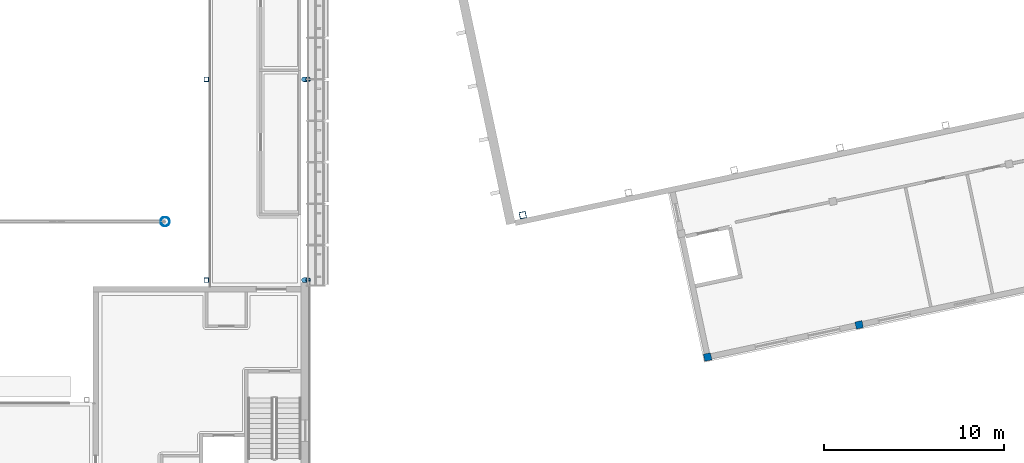
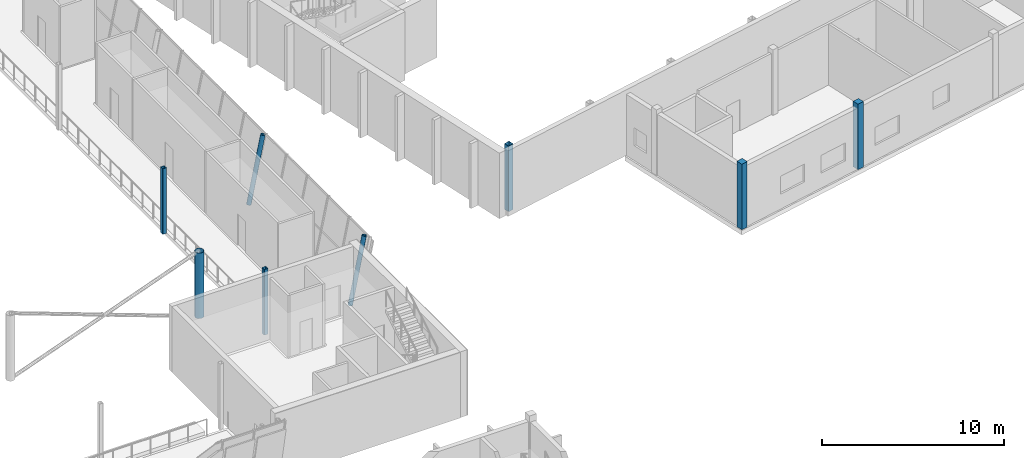
# One storey, part 20 of 115: 8 columns.
"""IFC4 building model written with IfcOpenShell, lengths in metres."""

from ifc_helpers import new_model, si_unit, direction, frame, origin, origin_2d, place, context, subcontext, project, spatial, rectangle, hollow_rectangle, hollow_circle, extrude, material, material_profile, profile_set, type_object, element, save


model = new_model("IFC4")

# Units and contexts
model_context = context("Model", 3, precision=1e-05, world=origin(), true_north=direction((0.0, 1.0)))
body_context = subcontext(model_context, "Body", "Model", "MODEL_VIEW")
ifc_project = project(units=[si_unit("LENGTHUNIT", "METRE"), si_unit("AREAUNIT", "SQUARE_METRE"), si_unit("VOLUMEUNIT", "CUBIC_METRE"), si_unit("PLANEANGLEUNIT", "RADIAN"), si_unit("MASSUNIT", "GRAM", prefix="KILO")], contexts=[model_context])

# Site, building, storey
site_placement = place(None, origin())
site = spatial("IfcSite", under=ifc_project, at=site_placement, CompositionType="ELEMENT")
building_placement = place(site_placement, origin())
building = spatial("IfcBuilding", under=site, at=building_placement, Name="Windward Yard Aquatics Centre", CompositionType="ELEMENT")
storey_placement = place(building_placement, frame((0.0, 0.0, 5.0)))
storey = spatial("IfcBuildingStorey", under=building, at=storey_placement, Name="L01", CompositionType="ELEMENT", Elevation=5.0)

# Columns
ifc_material_1 = material(Name="Steel ASTM A500 Gr C", Category="steel")
ifc_material_profile_1 = material_profile(ifc_material_1, hollow_rectangle(XDim=0.355712890625, YDim=0.355712890625, WallThickness=0.015869140625, InnerFilletRadius=0.008056640625, OuterFilletRadius=0.02392578125, at=origin_2d()), Name="HSS356X356X15.9")
ifc_profile_set_1 = profile_set([ifc_material_profile_1], Name="Steel ASTM A500 Gr C")
column_type_1 = type_object("IfcColumnType", Name="D column HSS356X356X15.9", PredefinedType="COLUMN", material=ifc_profile_set_1)
column_1_placement = place(storey_placement, frame((163.857177734375, 41.961669921875, 0.0), z_axis=(0.0, 0.0, 1.0), x_axis=(0.978147600734, 0.207911690818, 0.0)))
element("IfcColumn", 1, at=column_1_placement, inside=storey, type_object=column_type_1, Name="D.COL.1.1.3", PredefinedType="COLUMN", context=body_context, shape_type="SweptSolid", body=[
    extrude(hollow_rectangle(XDim=0.355712890625, YDim=0.355712890625, WallThickness=0.015869140625, InnerFilletRadius=0.008056640625, OuterFilletRadius=0.02392578125, at=origin_2d()), origin(), (0.0, 0.0, 1.0), 4.39990234375),
])
ifc_material_2 = material(Name="Concrete C35/45", Category="concrete")
ifc_material_profile_2 = material_profile(ifc_material_2, rectangle(XDim=0.39990234375, YDim=0.39990234375, at=origin_2d()), Name="RC 400X400")
ifc_profile_set_2 = profile_set([ifc_material_profile_2], Name="Concrete C35/45")
column_type_2 = type_object("IfcColumnType", Name="D column RC 400X400", PredefinedType="COLUMN", material=ifc_profile_set_2)
for number, where, z_axis, x_axis, name in (
    (2, (174.119384765625, 34.0830078125, 0.0), (0.0, 0.0, 1.0), (0.978147600734, 0.207911690818, 0.0), "D.COL.L01.1.1"),
    (3, (182.531494140625, 35.87109375, 0.0), (0.0, 0.0, 1.0), (0.978147600734, 0.207911690818, 0.0), "D.COL.L01.2.1"),
):
    element("IfcColumn", number, at=place(storey_placement, frame(where, z_axis=z_axis, x_axis=x_axis)), inside=storey, type_object=column_type_2, Name=name, PredefinedType="COLUMN", context=body_context, shape_type="SweptSolid", body=[
        extrude(rectangle(XDim=0.39990234375, YDim=0.39990234375, at=origin_2d()), origin(), (0.0, 0.0, 1.0), 4.39990234375),
    ])
ifc_material_profile_3 = material_profile(ifc_material_1, hollow_circle(Radius=0.25390625, WallThickness=0.015869140625, at=origin_2d()), Name="HSS508X15.9")
ifc_profile_set_3 = profile_set([ifc_material_profile_3], Name="Steel ASTM A500 Gr C")
column_type_3 = type_object("IfcColumnType", Name="H arch column HSS508X15.9", PredefinedType="COLUMN", material=ifc_profile_set_3)
column_2_placement = place(storey_placement, frame((144.0, 41.60009765625, 0.0), z_axis=(0.0, 0.0, 1.0), x_axis=(1.0, 0.0, 0.0)))
element("IfcColumn", 4, at=column_2_placement, inside=storey, type_object=column_type_3, Name="H.AC.S8.L01", PredefinedType="COLUMN", context=body_context, shape_type="SweptSolid", body=[
    extrude(hollow_circle(Radius=0.25390625, WallThickness=0.015869140625, at=origin_2d()), origin(), (0.0, 0.0, 1.0), 4.39990234375),
])
ifc_material_profile_4 = material_profile(ifc_material_1, hollow_rectangle(XDim=0.25390625, YDim=0.25390625, WallThickness=0.015869140625, InnerFilletRadius=0.008056640625, OuterFilletRadius=0.02392578125, at=origin_2d()), Name="HSS254X254X15.9")
ifc_profile_set_4 = profile_set([ifc_material_profile_4], Name="Steel ASTM A500 Gr C")
column_type_4 = type_object("IfcColumnType", Name="H inner column HSS254X254X15.9", PredefinedType="COLUMN", material=ifc_profile_set_4)
for number, where, z_axis, x_axis, name in (
    (5, (146.290283203125, 38.35009765625, 0.0), (0.0, 0.0, 1.0), (1.0, 0.0, 0.0), "H.IC.E1.L01"),
    (6, (146.290283203125, 49.5, 0.0), (0.0, 0.0, 1.0), (1.0, 0.0, 0.0), "H.IC.E2.L01"),
):
    element("IfcColumn", number, at=place(storey_placement, frame(where, z_axis=z_axis, x_axis=x_axis)), inside=storey, type_object=column_type_4, Name=name, PredefinedType="COLUMN", context=body_context, shape_type="SweptSolid", body=[
        extrude(hollow_rectangle(XDim=0.25390625, YDim=0.25390625, WallThickness=0.015869140625, InnerFilletRadius=0.008056640625, OuterFilletRadius=0.02392578125, at=origin_2d()), origin(), (0.0, 0.0, 1.0), 4.39990234375),
    ])
ifc_material_profile_5 = material_profile(ifc_material_1, hollow_circle(Radius=0.136474609375, WallThickness=0.0126953125, at=origin_2d()), Name="HSS273.1X12.7")
ifc_profile_set_5 = profile_set([ifc_material_profile_5], Name="Steel ASTM A500 Gr C")
column_type_5 = type_object("IfcColumnType", Name="H tier 1 leg HSS273.1X12.7", PredefinedType="COLUMN", material=ifc_profile_set_5)
for number, where, z_axis, x_axis, name in (
    (7, (151.70556640625, 38.35009765625, 0.02734375), (0.19937683017, 0.0, 0.979922894717), (0.0, 1.0, 0.0), "H.TL.E1.T1A.L01"),
    (8, (151.70556640625, 49.5, 0.02734375), (0.19937683017, 0.0, 0.979922894717), (0.0, 1.0, 0.0), "H.TL.E2.T1A.L01"),
):
    element("IfcColumn", number, at=place(storey_placement, frame(where, z_axis=z_axis, x_axis=x_axis)), inside=storey, type_object=column_type_5, Name=name, PredefinedType="COLUMN", context=body_context, shape_type="SweptSolid", body=[
        extrude(hollow_circle(Radius=0.136474609375, WallThickness=0.0126953125, at=origin_2d()), origin(), (0.0, 0.0, 1.0), 4.462158203125),
    ])

save(model, "model.ifc")
